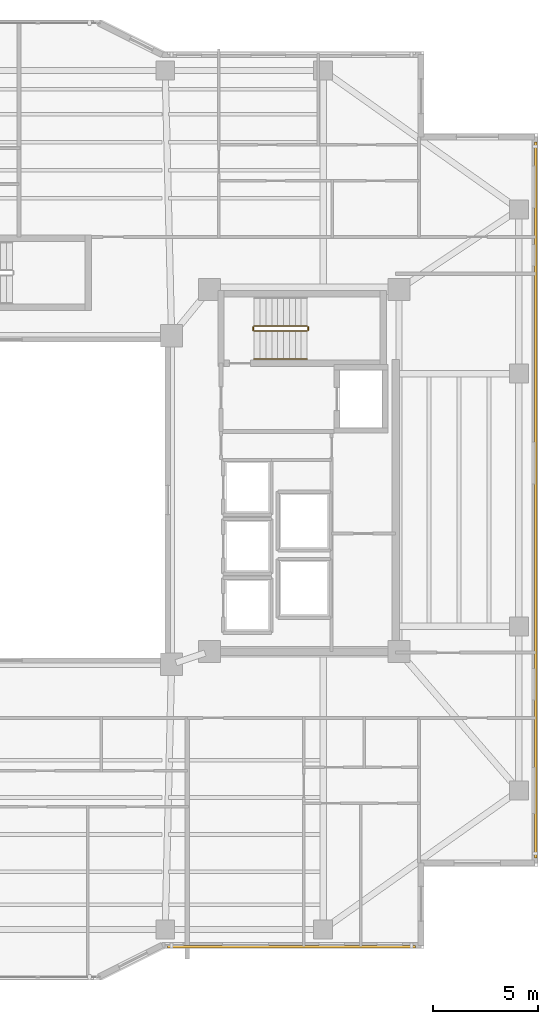
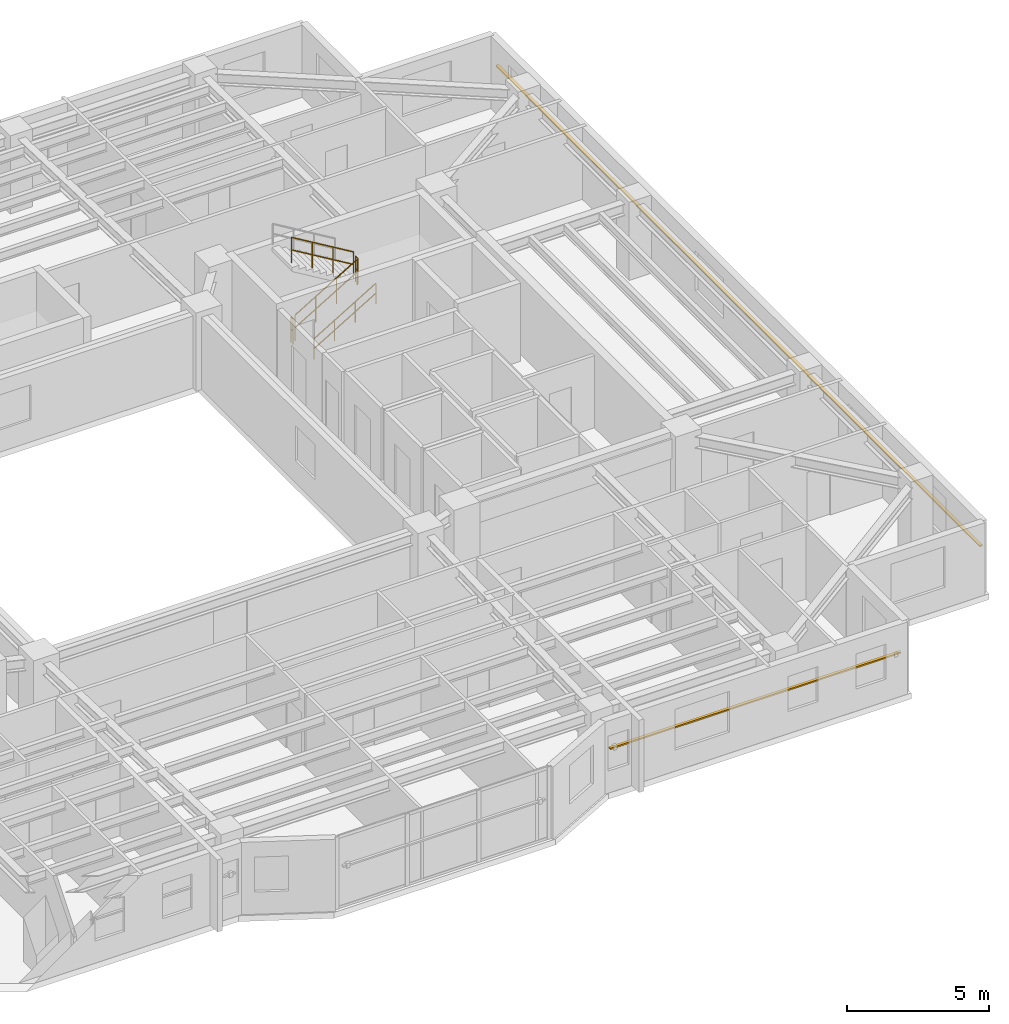
# One storey, part 14 of 15: 5 railings, 2 shading devices.
"""IFC4 building model written with IfcOpenShell, lengths in metres."""

from ifc_helpers import new_model, si_unit, direction, frame, origin, origin_2d, place, context, subcontext, project, spatial, rectangle, circle, extrude, material, material_profile, profile_set, type_object, element, save


model = new_model("IFC4")

# Units and contexts
model_context = context("Model", 3, precision=1e-05, world=origin(), true_north=direction((0.0, 1.0)))
body_context = subcontext(model_context, "Body", "Model", "MODEL_VIEW")
ifc_project = project(units=[si_unit("LENGTHUNIT", "METRE"), si_unit("AREAUNIT", "SQUARE_METRE"), si_unit("VOLUMEUNIT", "CUBIC_METRE"), si_unit("PLANEANGLEUNIT", "RADIAN"), si_unit("MASSUNIT", "GRAM", prefix="KILO")], contexts=[model_context])

# Site, building, storey
site_placement = place(None, origin())
site = spatial("IfcSite", under=ifc_project, at=site_placement, CompositionType="ELEMENT")
building_placement = place(site_placement, origin())
building = spatial("IfcBuilding", under=site, at=building_placement, Name="Tarnavaz Court Tower", CompositionType="ELEMENT")
storey_placement = place(building_placement, frame((0.0, 0.0, 159.39990234375)))
storey = spatial("IfcBuildingStorey", under=building, at=storey_placement, Name="L43", CompositionType="ELEMENT", Elevation=159.39990234375)

# Railings
ifc_material_1 = material(Name="Brushed Stainless Steel", Category="steel")
railing_type_1 = type_object("IfcRailingType", Name="RL-HANDRAIL-900", PredefinedType="HANDRAIL", material=ifc_material_1)
railing_1_placement = place(storey_placement, frame((11.719970703125, 6.699951171875, 0.16748046875)))
element("IfcRailing", 1, at=railing_1_placement, inside=storey, type_object=railing_type_1, Name="L43 ST-E1 stair handrail 1", PredefinedType="HANDRAIL", context=body_context, shape_type="SweptSolid", body=[
    extrude(circle(Radius=0.02392578125, at=origin_2d()), frame((0.0, 0.0, 0.8759765625), z_axis=(0.858159760407, 0.0, 0.513382728203), x_axis=(0.0, 1.0, 0.0)), (0.0, 0.0, 1.0), 2.9365234375),
    extrude(circle(Radius=0.02392578125, at=origin_2d()), frame((0.0, 0.0, 0.449951171875), z_axis=(0.858159760407, 0.0, 0.513382728203), x_axis=(0.0, 1.0, 0.0)), (0.0, 0.0, 1.0), 2.9365234375),
    extrude(circle(Radius=0.02099609375, at=origin_2d()), origin(), (0.0, 0.0, 1.0), 0.851806640625),
    extrude(circle(Radius=0.02099609375, at=origin_2d()), frame((0.840087890625, 0.0, 0.50244140625)), (0.0, 0.0, 1.0), 0.851806640625),
    extrude(circle(Radius=0.02099609375, at=origin_2d()), frame((1.679931640625, 0.0, 1.005126953125)), (0.0, 0.0, 1.0), 0.851806640625),
    extrude(circle(Radius=0.02099609375, at=origin_2d()), frame((2.52001953125, 0.0, 1.507568359375)), (0.0, 0.0, 1.0), 0.851806640625),
])
ifc_material_2 = material(Name="Galvanized Painted Tubular Steel", Category="steel")
railing_type_2 = type_object("IfcRailingType", Name="RL-STGUARD-1120", PredefinedType="GUARDRAIL", material=ifc_material_2)
railing_2_placement = place(storey_placement, frame((11.719970703125, 8.02001953125, 0.16748046875)))
element("IfcRailing", 2, at=railing_2_placement, inside=storey, type_object=railing_type_2, Name="L43 ST-E1 stair guard 1", PredefinedType="GUARDRAIL", context=body_context, shape_type="SweptSolid", body=[
    extrude(circle(Radius=0.02392578125, at=origin_2d()), frame((0.0, 0.0, 1.09619140625), z_axis=(0.858159760407, 0.0, 0.513382728203), x_axis=(0.0, 1.0, 0.0)), (0.0, 0.0, 1.0), 2.9365234375),
    extrude(circle(Radius=0.02392578125, at=origin_2d()), frame((0.0, 0.0, 0.56005859375), z_axis=(0.858159760407, 0.0, 0.513382728203), x_axis=(0.0, 1.0, 0.0)), (0.0, 0.0, 1.0), 2.9365234375),
    extrude(circle(Radius=0.02099609375, at=origin_2d()), origin(), (0.0, 0.0, 1.0), 1.072021484375),
    extrude(circle(Radius=0.02099609375, at=origin_2d()), frame((0.840087890625, 0.0, 0.50244140625)), (0.0, 0.0, 1.0), 1.072021484375),
    extrude(circle(Radius=0.02099609375, at=origin_2d()), frame((1.679931640625, 0.0, 1.005126953125)), (0.0, 0.0, 1.0), 1.072021484375),
    extrude(circle(Radius=0.02099609375, at=origin_2d()), frame((2.52001953125, 0.0, 1.507568359375)), (0.0, 0.0, 1.0), 1.072021484375),
])
railing_3_placement = place(storey_placement, frame((14.2900390625, 8.070068359375, 1.675048828125)))
element("IfcRailing", 3, at=railing_3_placement, inside=storey, type_object=railing_type_2, Name="L43 ST-E1 stair guard 2", PredefinedType="GUARDRAIL", context=body_context, shape_type="SweptSolid", body=[
    extrude(circle(Radius=0.02392578125, at=origin_2d()), frame((0.0, 0.0, 1.09619140625), z_axis=(0.0, 1.0, 0.0), x_axis=(-1.0, 0.0, 0.0)), (0.0, 0.0, 1.0), 0.14990234375),
    extrude(circle(Radius=0.02392578125, at=origin_2d()), frame((0.0, 0.0, 0.56005859375), z_axis=(0.0, 1.0, 0.0), x_axis=(-1.0, 0.0, 0.0)), (0.0, 0.0, 1.0), 0.14990234375),
    extrude(circle(Radius=0.02099609375, at=origin_2d()), origin(), (0.0, 0.0, 1.0), 1.072021484375),
    extrude(circle(Radius=0.02099609375, at=origin_2d()), frame((0.0, 0.14990234375, 0.0)), (0.0, 0.0, 1.0), 1.072021484375),
])
railing_4_placement = place(storey_placement, frame((14.239990234375, 8.27001953125, 1.842529296875)))
element("IfcRailing", 4, at=railing_4_placement, inside=storey, type_object=railing_type_2, Name="L43 ST-E1 stair guard 3", PredefinedType="GUARDRAIL", context=body_context, shape_type="SweptSolid", body=[
    extrude(circle(Radius=0.02392578125, at=origin_2d()), frame((0.0, 0.0, 1.09619140625), z_axis=(-0.858159760407, 0.0, 0.513382728203), x_axis=(0.0, -1.0, 0.0)), (0.0, 0.0, 1.0), 2.9365234375),
    extrude(circle(Radius=0.02392578125, at=origin_2d()), frame((0.0, 0.0, 0.56005859375), z_axis=(-0.858159760407, 0.0, 0.513382728203), x_axis=(0.0, -1.0, 0.0)), (0.0, 0.0, 1.0), 2.9365234375),
    extrude(circle(Radius=0.02099609375, at=origin_2d()), origin(), (0.0, 0.0, 1.0), 1.072021484375),
    extrude(circle(Radius=0.02099609375, at=origin_2d()), frame((-0.840087890625, 0.0, 0.50244140625)), (0.0, 0.0, 1.0), 1.072021484375),
    extrude(circle(Radius=0.02099609375, at=origin_2d()), frame((-1.679931640625, 0.0, 1.005126953125)), (0.0, 0.0, 1.0), 1.072021484375),
    extrude(circle(Radius=0.02099609375, at=origin_2d()), frame((-2.52001953125, 0.0, 1.507568359375)), (0.0, 0.0, 1.0), 1.072021484375),
])
railing_5_placement = place(storey_placement, frame((11.669921875, 8.070068359375, 0.0)))
element("IfcRailing", 5, at=railing_5_placement, inside=storey, type_object=railing_type_2, Name="L43 ST-E1 stair guard 4", PredefinedType="GUARDRAIL", context=body_context, shape_type="SweptSolid", body=[
    extrude(circle(Radius=0.02392578125, at=origin_2d()), frame((0.0, 0.0, 1.09619140625), z_axis=(0.0, 1.0, 0.0), x_axis=(-1.0, 0.0, 0.0)), (0.0, 0.0, 1.0), 0.14990234375),
    extrude(circle(Radius=0.02392578125, at=origin_2d()), frame((0.0, 0.0, 0.56005859375), z_axis=(0.0, 1.0, 0.0), x_axis=(-1.0, 0.0, 0.0)), (0.0, 0.0, 1.0), 0.14990234375),
    extrude(circle(Radius=0.02099609375, at=origin_2d()), origin(), (0.0, 0.0, 1.0), 1.072021484375),
    extrude(circle(Radius=0.02099609375, at=origin_2d()), frame((0.0, 0.14990234375, 0.0)), (0.0, 0.0, 1.0), 1.072021484375),
])

# Shading devices
ifc_material_3 = material(Name="Kiln-Fired Khorasan Terracotta Ceramic", Category="masonry")
ifc_material_profile = material_profile(ifc_material_3, rectangle(XDim=0.1201171875, YDim=0.06005859375, at=origin_2d()), Name="TC BAGUETTE 120X60")
ifc_profile_set = profile_set([ifc_material_profile], Name="Kiln-Fired Khorasan Terracotta Ceramic")
shading_device_type = type_object("IfcShadingDeviceType", Name="SD-BAG-120", PredefinedType="USERDEFINED", material=ifc_profile_set)
shading_device_1_placement = place(storey_placement, frame((25.110107421875, 17.0, 1.85009765625), z_axis=(0.0, -1.0, 0.0), x_axis=(1.0, 0.0, 0.0)))
element("IfcShadingDevice", 6, at=shading_device_1_placement, inside=storey, type_object=shading_device_type, Name="L43 Terracotta Baguette Screen FBG12", ObjectType="BAGUETTE", PredefinedType="USERDEFINED", context=body_context, shape_type="SweptSolid", body=[
    extrude(rectangle(XDim=0.1201171875, YDim=0.06005859375, at=origin_2d()), origin(), (0.0, 0.0, 1.0), 34.0),
])
shading_device_2_placement = place(storey_placement, frame((19.39990234375, -21.2099609375, 1.85009765625), z_axis=(-1.0, 0.0, 0.0), x_axis=(0.0, -1.0, 0.0)))
element("IfcShadingDevice", 7, at=shading_device_2_placement, inside=storey, type_object=shading_device_type, Name="L43 Terracotta Baguette Screen FBG15", ObjectType="BAGUETTE", PredefinedType="USERDEFINED", context=body_context, shape_type="SweptSolid", body=[
    extrude(rectangle(XDim=0.1201171875, YDim=0.06005859375, at=origin_2d()), origin(), (0.0, 0.0, 1.0), 11.7998046875),
])

save(model, "model.ifc")
